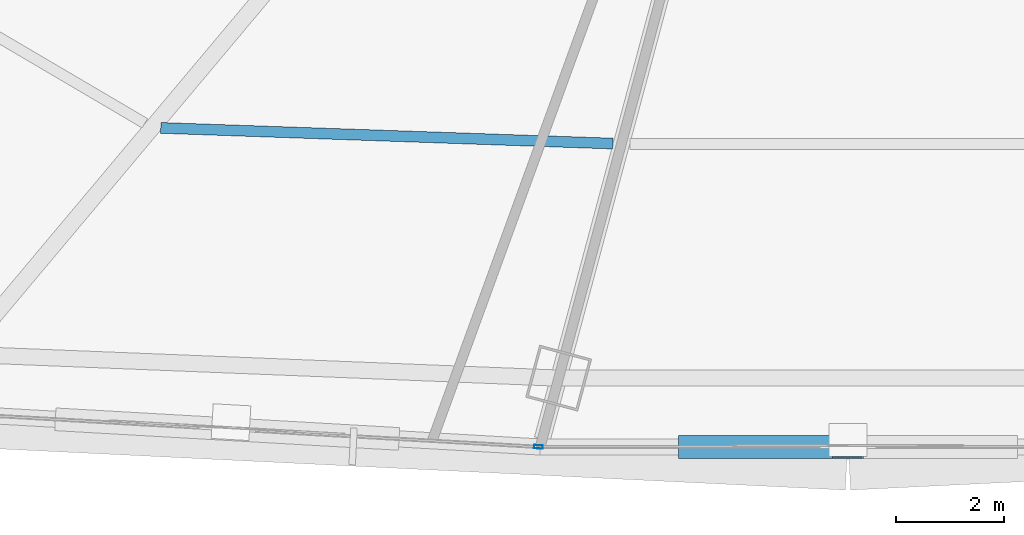
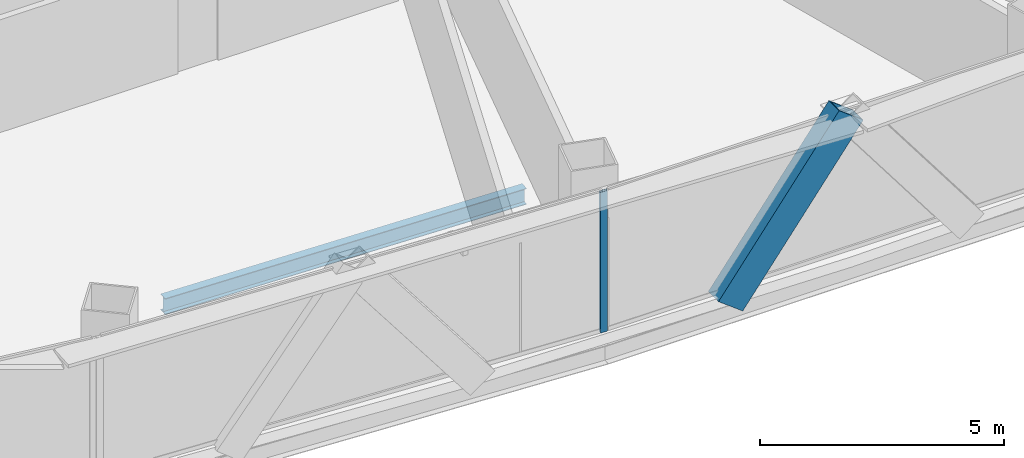
# One storey, part 10 of 41: 2 members, 1 beam, 1 element without a shape of its own.
"""IFC4 building model written with IfcOpenShell, lengths in metres."""

from ifc_helpers import new_model, si_unit, direction, frame, origin, origin_2d, place, context, subcontext, project, spatial, hollow_rectangle, i_section, extrude, source, transform, mapped, material, layer, layer_set, material_profile, profile_set, type_object, element, aggregate, save


model = new_model("IFC4")

# Units and contexts
model_context = context("Model", 3, precision=1e-05, world=origin(), true_north=direction((0.0, 1.0)))
body_context = subcontext(model_context, "Body", "Model", "MODEL_VIEW")
ifc_project = project(units=[si_unit("LENGTHUNIT", "METRE"), si_unit("AREAUNIT", "SQUARE_METRE"), si_unit("VOLUMEUNIT", "CUBIC_METRE"), si_unit("PLANEANGLEUNIT", "RADIAN"), si_unit("MASSUNIT", "GRAM", prefix="KILO"), si_unit("THERMODYNAMICTEMPERATUREUNIT", "KELVIN"), si_unit("POWERUNIT", "WATT")], contexts=[model_context])

# Site, building, storey
site_placement = place(None, origin())
site = spatial("IfcSite", under=ifc_project, at=site_placement, CompositionType="ELEMENT")
building_placement = place(site_placement, origin())
building = spatial("IfcBuilding", under=site, at=building_placement, Name="Yunzhuo Pagoda Commons", CompositionType="ELEMENT")
storey_placement = place(building_placement, frame((0.0, 0.0, 115.3798828125)))
storey = spatial("IfcBuildingStorey", under=building, at=storey_placement, Name="L29", CompositionType="ELEMENT", Elevation=115.3798828125)

# Beam
ifc_material_1 = material(Name="Structural steel Q355B", Category="steel")
ifc_material_profile_1 = material_profile(ifc_material_1, i_section(OverallWidth=0.199951171875, OverallDepth=0.39990234375, WebThickness=0.008056640625, FlangeThickness=0.012939453125, at=origin_2d()), Name="Structural steel Q355B")
ifc_profile_set_1 = profile_set([ifc_material_profile_1], Name="Structural steel Q355B")
beam_type = type_object("IfcBeamType", Name="B-JS1 Joist HN 400x200x8x13", PredefinedType="JOIST", material=ifc_profile_set_1)
shared_shape_1 = source(origin(), body_context, "Body", "SweptSolid", [
    extrude(i_section(OverallWidth=0.199951171875, OverallDepth=0.39990234375, WebThickness=0.008056640625, FlangeThickness=0.012939453125, at=origin_2d()), origin(), (0.0, 0.0, 1.0), 8.392822265625),
])
beam_placement = place(storey_placement, frame((35.25048828125, 18.310791015625, -0.4599609375), z_axis=(0.999400667027, -0.034616567521, 0.0), x_axis=(0.034616567521, 0.999400667027, 0.0)))
element("IfcBeam", 1, at=beam_placement, inside=storey, type_object=beam_type, Name="L29 composite ring joist 2.1", PredefinedType="JOIST", context=body_context, shape_type="MappedRepresentation", body=[
    mapped(shared_shape_1, transform((0.0, 0.0, 0.0), scale=1.0)),
])

# Member
ifc_material_2 = material(Name="Structural steel Q420B", Category="steel")
ifc_material_profile_2 = material_profile(ifc_material_2, hollow_rectangle(XDim=0.419921875, YDim=0.719970703125, WallThickness=0.028076171875, at=origin_2d()), Name="Structural steel Q420B")
ifc_profile_set_2 = profile_set([ifc_material_profile_2], Name="Structural steel Q420B")
member_type_1 = type_object("IfcMemberType", Name="M-DL1 Brace BOX 720x420x28", PredefinedType="BRACE", material=ifc_profile_set_2)
shared_shape_2 = source(origin(), body_context, "Body", "SweptSolid", [
    extrude(hollow_rectangle(XDim=0.419921875, YDim=0.719970703125, WallThickness=0.028076171875, at=origin_2d()), origin(), (0.0, 0.0, 1.0), 4.73681640625),
])
member_1_placement = place(storey_placement, frame((45.145263671875, 12.39111328125, -0.259765625), z_axis=(0.602685062575, 0.0, 0.797979144683), x_axis=(0.0, 1.0, 0.0)))
element("IfcMember", 2, at=member_1_placement, inside=storey, type_object=member_type_1, Name="L29 facade diamond brace F1.2L", PredefinedType="BRACE", context=body_context, shape_type="MappedRepresentation", body=[
    mapped(shared_shape_2, transform((0.0, 0.0, 0.0), scale=1.0)),
])

# Curtain wall, member
ifc_material_3 = material(Name="Anodized aluminium 6063-T6", Category="aluminium")
ifc_layer = layer(ifc_material_3, 0.1650390625)
ifc_layer_set = layer_set([ifc_layer], Name="Anodized aluminium 6063-T6")
curtain_wall_type = type_object("IfcCurtainWallType", Name="CW-LOW Low-Zone Ribbon Curtain Wall", PredefinedType="NOTDEFINED", material=ifc_layer_set)
curtain_wall_placement = place(storey_placement, origin())
curtain_wall = element("IfcCurtainWall", 3, at=curtain_wall_placement, inside=storey, type_object=curtain_wall_type, Name="L29 curtain wall CW-L29-F1B2", PredefinedType="NOTDEFINED")
ifc_material_profile_3 = material_profile(ifc_material_3, hollow_rectangle(XDim=0.06494140625, YDim=0.1650390625, WallThickness=0.00390625, at=origin_2d()), Name="Anodized aluminium 6063-T6")
ifc_profile_set_3 = profile_set([ifc_material_profile_3], Name="Anodized aluminium 6063-T6")
member_type_2 = type_object("IfcMemberType", Name="CW-LOW-M Mullion RHS 165x65x4", PredefinedType="MULLION", material=ifc_profile_set_3)
shared_shape_3 = source(origin(), body_context, "Body", "SweptSolid", [
    extrude(hollow_rectangle(XDim=0.06494140625, YDim=0.1650390625, WallThickness=0.00390625, at=origin_2d()), origin(), (0.0, 0.0, 1.0), 3.52001953125),
])
member_2_placement = place(storey_placement, frame((42.258056640625, 12.392822265625, 0.0), z_axis=(0.0, 0.0, 1.0), x_axis=(0.057027757736, 0.998372593197, 0.0)))
member_2 = element("IfcMember", 4, at=member_2_placement, type_object=member_type_2, Name="CW mullion 2", PredefinedType="MULLION", context=body_context, shape_type="MappedRepresentation", body=[
    mapped(shared_shape_3, transform((0.0, 0.0, 0.0), scale=1.0)),
])
aggregate(curtain_wall, [member_2])

save(model, "model.ifc")
